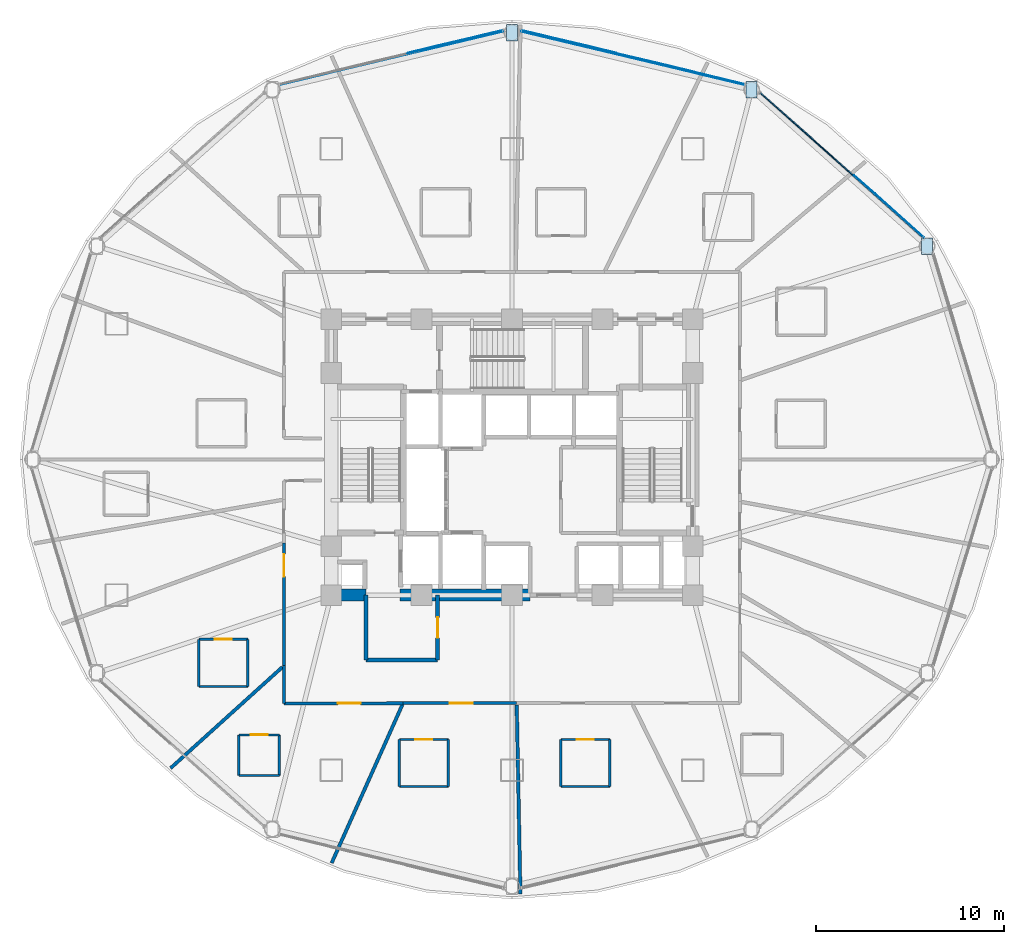
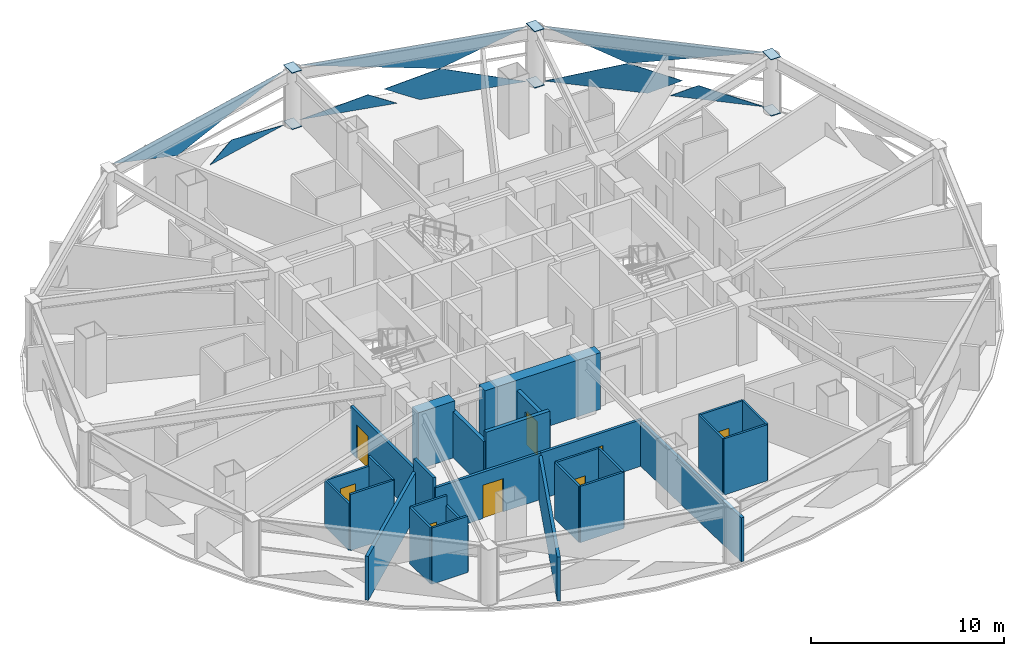
# One storey, part 23 of 31: 28 walls, 14 plates, 8 doors, 8 openings, 3 elements without a shape of their own.
"""IFC4 building model written with IfcOpenShell, lengths in metres."""

from ifc_helpers import new_model, si_unit, direction, frame, frame_2d, origin, place, context, subcontext, project, spatial, polyline, rectangle, outline, extrude, material, layer, layer_set, type_object, element, fill, aggregate, save


model = new_model("IFC4")

# Units and contexts
model_context = context("Model", 3, precision=1e-05, world=origin(), true_north=direction((0.0, 1.0)))
body_context = subcontext(model_context, "Body", "Model", "MODEL_VIEW")
ifc_project = project(units=[si_unit("LENGTHUNIT", "METRE"), si_unit("AREAUNIT", "SQUARE_METRE"), si_unit("VOLUMEUNIT", "CUBIC_METRE"), si_unit("PLANEANGLEUNIT", "RADIAN"), si_unit("MASSUNIT", "GRAM", prefix="KILO")], contexts=[model_context])

# Site, building, storey
site_placement = place(None, origin())
site = spatial("IfcSite", under=ifc_project, at=site_placement, CompositionType="ELEMENT")
building_placement = place(site_placement, origin())
building = spatial("IfcBuilding", under=site, at=building_placement, Name="Vantalir Tower", CompositionType="ELEMENT")
storey_placement = place(building_placement, frame((0.0, 0.0, 30.75)))
storey = spatial("IfcBuildingStorey", under=building, at=storey_placement, Name="L06", CompositionType="ELEMENT", Elevation=30.75)

# Curtain wall, plates
ifc_material_1 = material(Name="Champagne-silver PVDF aluminium and double-silver Low-E glass", Category="aluminium")
ifc_layer_1 = layer(ifc_material_1, 0.18994140625)
ifc_layer_set_1 = layer_set([ifc_layer_1], Name="Champagne-silver PVDF aluminium and double-silver Low-E glass")
curtain_wall_type = type_object("IfcCurtainWallType", Name="CW-DIAMOND-Z1", PredefinedType="USERDEFINED", material=ifc_layer_set_1)
curtain_wall_1_placement = place(storey_placement, origin())
curtain_wall_1 = element("IfcCurtainWall", 1, at=curtain_wall_1_placement, inside=storey, type_object=curtain_wall_type, Name="L06 Quilted Pyramid-Diamond Curtain Wall S02", ObjectType="UNITISED CURTAIN WALL", PredefinedType="USERDEFINED")
ifc_material_2 = material(Name="Double-silver Low-E laminated glass IGU", Category="glass")
ifc_layer_2 = layer(ifc_material_2, 0.028076171875)
ifc_layer_set_2 = layer_set([ifc_layer_2], Name="Double-silver Low-E laminated glass IGU")
plate_type_1 = type_object("IfcPlateType", Name="CWP-IGU-28", PredefinedType="CURTAIN_PANEL", material=ifc_layer_set_2)
plate_1_placement = place(storey_placement, frame((48.74658203125, 40.846435546875, 0.04638671875), z_axis=(-0.665325251606, -0.746426081789, 0.013799057982), x_axis=(-0.746496744743, 0.665389065195, 4.4805956e-05)))
plate_1 = element("IfcPlate", 2, at=plate_1_placement, type_object=plate_type_1, Name="CW-L06-S02 Pyramid Diamond Facet 1L", PredefinedType="CURTAIN_PANEL", context=body_context, shape_type="SweptSolid", body=[
    extrude(outline(polyline([(0.0, 0.0), (5.445019061406221, -9.75781955236954e-19), (1.0289545223742655, -1.7269249622409644), (-1.8271387081884845, -1.040708127567378), (0.0, 0.0)])), origin(), (0.0, 0.0, -1.0), 0.028076171875),
])
plate_2_placement = place(storey_placement, frame((53.3642578125, 36.773681640625, 0.0458984375), z_axis=(-0.665286156238, -0.746456823049, 0.014019330988), x_axis=(-0.746529729205, 0.665352057933, 4.9168789e-05)))
plate_2 = element("IfcPlate", 3, at=plate_2_placement, type_object=plate_type_1, Name="CW-L06-S02 Pyramid Diamond Facet 1L Infill Light", PredefinedType="CURTAIN_PANEL", context=body_context, shape_type="SweptSolid", body=[
    extrude(outline(polyline([(0.0, 0.0), (4.965357660067444, -1.2468324983583301e-18), (3.491801957493011, -0.8390220969059908), (0.0, 0.0)])), origin(), (0.0, 0.0, -1.0), 0.028076171875),
])
plate_3_placement = place(storey_placement, frame((44.681884765625, 44.469482421875, 3.5234375), z_axis=(0.665308471731, 0.746442033151, 0.013745129627), x_axis=(0.746512362632, -0.665371544323, 2.1042743e-05)))
plate_3 = element("IfcPlate", 4, at=plate_3_placement, type_object=plate_type_1, Name="CW-L06-S02 Pyramid Diamond Facet 2U", PredefinedType="CURTAIN_PANEL", context=body_context, shape_type="SweptSolid", body=[
    extrude(outline(polyline([(0.0, 0.0), (11.60212910870832, 4.174178364069192e-18), (4.416106124414924, 1.72706272146266), (0.0, 0.0)])), origin(), (0.0, 0.0, -1.0), 0.028076171875),
])
aggregate(curtain_wall_1, [plate_1, plate_2, plate_3])

curtain_wall_2_placement = place(storey_placement, origin())
curtain_wall_2 = element("IfcCurtainWall", 5, at=curtain_wall_2_placement, inside=storey, type_object=curtain_wall_type, Name="L06 Quilted Pyramid-Diamond Curtain Wall S03", ObjectType="UNITISED CURTAIN WALL", PredefinedType="USERDEFINED")
plate_4_placement = place(storey_placement, frame((43.848388671875, 44.90478515625, 0.046630859375), z_axis=(-0.232291098168, -0.972550032399, 0.013685035371), x_axis=(-0.972641250075, 0.232312282972, -4.2803868e-05)))
plate_4 = element("IfcPlate", 6, at=plate_4_placement, type_object=plate_type_1, Name="CW-L06-S03 Pyramid Diamond Facet 1L", PredefinedType="CURTAIN_PANEL", context=body_context, shape_type="SweptSolid", body=[
    extrude(outline(polyline([(0.0, 0.0), (5.739519590902644, 1.9786689647860456e-18), (7.654075966220186, -1.0402199577433895), (4.64316650522557, -1.7271655942056516), (0.0, 0.0)])), origin(), (0.0, 0.0, -1.0), 0.028076171875),
])
plate_5_placement = place(storey_placement, frame((37.072998046875, 46.555908203125, 0.0458984375), z_axis=(-0.232266858314, -0.972556291134, 0.013651633766), x_axis=(-0.972646930053, 0.232288504791, 0.0)))
plate_5 = element("IfcPlate", 7, at=plate_5_placement, type_object=plate_type_1, Name="CW-L06-S03 Pyramid Diamond Facet 1L Infill Light", PredefinedType="CURTAIN_PANEL", context=body_context, shape_type="SweptSolid", body=[
    extrude(outline(polyline([(0.0, 0.0), (5.23724897825539, 0.0), (1.5494455347339522, -0.8416311642109189), (0.0, 0.0)])), origin(), (0.0, 0.0, -1.0), 0.028076171875),
])
plate_6_placement = place(storey_placement, frame((31.9716796875, 47.741455078125, 3.523681640625), z_axis=(0.232287531806, 0.972551676666, 0.013628601564), x_axis=(0.972642072645, -0.232308842109, -1.9993876e-05)))
plate_6 = element("IfcPlate", 8, at=plate_6_placement, type_object=plate_type_1, Name="CW-L06-S03 Pyramid Diamond Facet 2U", PredefinedType="CURTAIN_PANEL", context=body_context, shape_type="SweptSolid", body=[
    extrude(outline(polyline([(0.0, 0.0), (12.210770352635775, -1.2468324983583301e-17), (7.567564543773729, 1.7273040383975622), (0.0, 0.0)])), origin(), (0.0, 0.0, -1.0), 0.028076171875),
])
aggregate(curtain_wall_2, [plate_4, plate_5, plate_6])

curtain_wall_3_placement = place(storey_placement, origin())
curtain_wall_3 = element("IfcCurtainWall", 9, at=curtain_wall_3_placement, inside=storey, type_object=curtain_wall_type, Name="L06 Quilted Pyramid-Diamond Curtain Wall S04", ObjectType="UNITISED CURTAIN WALL", PredefinedType="USERDEFINED")
plate_7_placement = place(storey_placement, frame((31.02099609375, 47.7724609375, 0.0458984375), z_axis=(0.232266858314, -0.972556291134, 0.013651633766), x_axis=(-0.972646930053, -0.232288504791, 0.0)))
plate_7 = element("IfcPlate", 10, at=plate_7_placement, type_object=plate_type_1, Name="CW-L06-S04 Pyramid Diamond Facet 1L Infill Light", PredefinedType="CURTAIN_PANEL", context=body_context, shape_type="SweptSolid", body=[
    extrude(outline(polyline([(0.0, 0.0), (5.23724897825539, 0.0), (3.687803443521438, -0.8416311642109189), (0.0, 0.0)])), origin(), (0.0, 0.0, -1.0), 0.028076171875),
])
plate_8_placement = place(storey_placement, frame((19.151611328125, 44.90478515625, 3.5234375), z_axis=(-0.232287531806, 0.972551676666, 0.013628601564), x_axis=(0.972642072645, 0.232308842109, 1.9993876e-05)))
plate_8 = element("IfcPlate", 11, at=plate_8_placement, type_object=plate_type_1, Name="CW-L06-S04 Pyramid Diamond Facet 2U", PredefinedType="CURTAIN_PANEL", context=body_context, shape_type="SweptSolid", body=[
    extrude(outline(polyline([(0.0, 0.0), (12.210770352635775, 1.2468324983583301e-17), (4.643205808862046, 1.7273040383975622), (0.0, 0.0)])), origin(), (0.0, 0.0, -1.0), 0.028076171875),
])
aggregate(curtain_wall_3, [plate_7, plate_8])

# Plates
ifc_material_3 = material(Name="Steel S460", Category="steel")
ifc_layer_3 = layer(ifc_material_3, 0.035888671875)
ifc_layer_set_3 = layer_set([ifc_layer_3], Name="Steel S460")
plate_type_2 = type_object("IfcPlateType", Name="PLT-KN-Z2", PredefinedType="USERDEFINED", material=ifc_layer_set_3)
for number, where, z_axis, x_axis, name in (
    (12, (53.25, 36.77197265625, 3.597900390625), (0.0, 0.0, 1.0), (0.0, -1.0, 0.0), "L06 Ring Column Top Cap RC02"),
    (13, (53.25, 36.77197265625, 0.052978515625), (0.0, 0.0, 1.0), (0.0, -1.0, 0.0), "L06 Ring Column Base Cap RC02"),
):
    element("IfcPlate", number, at=place(storey_placement, frame(where, z_axis=z_axis, x_axis=x_axis)), inside=storey, type_object=plate_type_2, Name=name, ObjectType="FLANGE_PLATE", PredefinedType="USERDEFINED", context=body_context, shape_type="SweptSolid", body=[
        extrude(outline(polyline([(0.0, 0.0), (0.8798828125, 0.0), (0.8798828125, 0.580078125), (0.0, 0.580078125), (0.0, 0.0)])), origin(), (0.0, 0.0, -1.0), 0.035888671875),
    ])
for number, where, z_axis, x_axis, name in (
    (14, (43.93505859375, 45.068115234375, 3.597900390625), (0.0, 0.0, 1.0), (0.0, -1.0, 0.0), "L06 Ring Column Top Cap RC03"),
    (15, (43.93505859375, 45.068115234375, 0.052978515625), (0.0, 0.0, 1.0), (0.0, -1.0, 0.0), "L06 Ring Column Base Cap RC03"),
):
    element("IfcPlate", number, at=place(storey_placement, frame(where, z_axis=z_axis, x_axis=x_axis)), inside=storey, type_object=plate_type_2, Name=name, ObjectType="FLANGE_PLATE", PredefinedType="USERDEFINED", context=body_context, shape_type="SweptSolid", body=[
        extrude(outline(polyline([(0.0, 0.0), (0.880126953125, 0.0), (0.880126953125, 0.579833984375), (0.0, 0.579833984375), (0.0, 0.0)])), origin(), (0.0, 0.0, -1.0), 0.035888671875),
    ])
for number, where, z_axis, x_axis, name in (
    (16, (31.2099609375, 48.10400390625, 3.597900390625), (0.0, 0.0, 1.0), (0.0, -1.0, 0.0), "L06 Ring Column Top Cap RC04"),
    (17, (31.2099609375, 48.10400390625, 0.052978515625), (0.0, 0.0, 1.0), (0.0, -1.0, 0.0), "L06 Ring Column Base Cap RC04"),
):
    element("IfcPlate", number, at=place(storey_placement, frame(where, z_axis=z_axis, x_axis=x_axis)), inside=storey, type_object=plate_type_2, Name=name, ObjectType="FLANGE_PLATE", PredefinedType="USERDEFINED", context=body_context, shape_type="SweptSolid", body=[
        extrude(outline(polyline([(0.0, 0.0), (0.8798828125, 0.0), (0.8798828125, 0.580078125), (0.0, 0.580078125), (0.0, 0.0)])), origin(), (0.0, 0.0, -1.0), 0.035888671875),
    ])

# Wall
ifc_material_4 = material(Name="Moisture-resistant en-suite partition", Category="gypsum")
ifc_layer_4 = layer(ifc_material_4, 0.125)
ifc_layer_set_4 = layer_set([ifc_layer_4], Name="Moisture-resistant en-suite partition")
wall_type_1 = type_object("IfcWallType", Name="WL-BATH-125", PredefinedType="PARTITIONING", material=ifc_layer_set_4)
wall_1_placement = place(storey_placement, frame((14.87109375, 12.950927734375, 0.0), z_axis=(0.0, 0.0, 1.0), x_axis=(1.0, 0.0, 0.0)))
element("IfcWall", 18, at=wall_1_placement, inside=storey, type_object=wall_type_1, Name="L06 En-suite 12 South Wall", PredefinedType="PARTITIONING", context=body_context, shape_type="SweptSolid", body=[
    extrude(rectangle(XDim=2.599853515625, YDim=0.125, at=frame_2d((1.2998046875, 0.0))), origin(), (0.0, 0.0, 1.0), 3.550048828125),
])

# Wall, opening, door
wall_2_placement = place(storey_placement, frame((14.87109375, 15.450927734375, 0.0), z_axis=(0.0, 0.0, 1.0), x_axis=(1.0, 0.0, 0.0)))
wall_2 = element("IfcWall", 19, at=wall_2_placement, inside=storey, type_object=wall_type_1, Name="L06 En-suite 12 North Wall", PredefinedType="PARTITIONING", context=body_context, shape_type="SweptSolid", body=[
    extrude(rectangle(XDim=2.599853515625, YDim=0.125, at=frame_2d((1.2998046875, 0.0))), origin(), (0.0, 0.0, 1.0), 2.927978515625),
])
opening_1_placement = place(wall_2_placement, frame((0.85009765625, 0.0, 0.0)))
opening_1 = element("IfcOpeningElement", 20, at=opening_1_placement, cuts=wall_2, Name="Opening D-WC", PredefinedType="OPENING", context=body_context, shape_type="SweptSolid", body=[
    extrude(rectangle(XDim=0.89990234375, YDim=2.10009765625, at=frame_2d((0.449951171875, 1.050048828125))), frame((0.0, 0.072509765625, 0.0), z_axis=(0.0, -1.0, 0.0), x_axis=(1.0, 0.0, 0.0)), (0.0, 0.0, 1.0), 0.14501953125),
])
ifc_material_5 = material(Name="Moisture-resistant hardwood door", Category="wood")
door_type_1 = type_object("IfcDoorType", Name="DR-ENSUITE-900", OperationType="NOTDEFINED", PredefinedType="DOOR", material=ifc_material_5)
door_1_placement = place(opening_1_placement, frame((0.89990234375, 0.0, 0.0), z_axis=(0.0, 0.0, 1.0), x_axis=(-1.0, 0.0, 0.0)))
door_1 = element("IfcDoor", 21, at=door_1_placement, inside=storey, type_object=door_type_1, Name="L06 En-suite 12 Door", OperationType="SINGLE_SWING_LEFT", OverallHeight=2.10009765625, OverallWidth=0.89990234375, PredefinedType="DOOR", context=body_context, shape_type="SweptSolid", body=[
    extrude(rectangle(XDim=0.89990234375, YDim=2.10009765625, at=frame_2d((0.449951171875, 1.050048828125))), frame((0.0, 0.02490234375, 0.0), z_axis=(0.0, -1.0, 0.0), x_axis=(1.0, 0.0, 0.0)), (0.0, 0.0, 1.0), 0.050048828125),
])
fill(opening_1, door_1)

# Walls
wall_3_placement = place(storey_placement, frame((14.87109375, 12.950927734375, 0.0), z_axis=(0.0, 0.0, 1.0), x_axis=(0.0, 1.0, 0.0)))
element("IfcWall", 22, at=wall_3_placement, inside=storey, type_object=wall_type_1, Name="L06 En-suite 12 West Wall", PredefinedType="PARTITIONING", context=body_context, shape_type="SweptSolid", body=[
    extrude(rectangle(XDim=2.5, YDim=0.125, at=frame_2d((1.25, 0.0))), origin(), (0.0, 0.0, 1.0), 2.927978515625),
])
wall_4_placement = place(storey_placement, frame((17.470947265625, 12.950927734375, 0.0), z_axis=(0.0, 0.0, 1.0), x_axis=(0.0, 1.0, 0.0)))
element("IfcWall", 23, at=wall_4_placement, inside=storey, type_object=wall_type_1, Name="L06 En-suite 12 East Wall", PredefinedType="PARTITIONING", context=body_context, shape_type="SweptSolid", body=[
    extrude(rectangle(XDim=2.5, YDim=0.125, at=frame_2d((1.25, 0.0))), origin(), (0.0, 0.0, 1.0), 3.550048828125),
])
wall_5_placement = place(storey_placement, frame((16.998046875, 8.22509765625, 0.0), z_axis=(0.0, 0.0, 1.0), x_axis=(1.0, 0.0, 0.0)))
element("IfcWall", 24, at=wall_5_placement, inside=storey, type_object=wall_type_1, Name="L06 En-suite 13 South Wall", PredefinedType="PARTITIONING", context=body_context, shape_type="SweptSolid", body=[
    extrude(rectangle(XDim=2.14990234375, YDim=0.125, at=frame_2d((1.074951171875, 0.0))), origin(), (0.0, 0.0, 1.0), 3.550048828125),
])

# Wall, opening, door
wall_6_placement = place(storey_placement, frame((16.998046875, 10.375, 0.0), z_axis=(0.0, 0.0, 1.0), x_axis=(1.0, 0.0, 0.0)))
wall_6 = element("IfcWall", 25, at=wall_6_placement, inside=storey, type_object=wall_type_1, Name="L06 En-suite 13 North Wall", PredefinedType="PARTITIONING", context=body_context, shape_type="SweptSolid", body=[
    extrude(rectangle(XDim=2.14990234375, YDim=0.125, at=frame_2d((1.074951171875, 0.0))), origin(), (0.0, 0.0, 1.0), 3.550048828125),
])
opening_2_placement = place(wall_6_placement, frame((0.625, 0.0, 0.0)))
opening_2 = element("IfcOpeningElement", 26, at=opening_2_placement, cuts=wall_6, Name="Opening D-WC", PredefinedType="OPENING", context=body_context, shape_type="SweptSolid", body=[
    extrude(rectangle(XDim=0.89990234375, YDim=2.10009765625, at=frame_2d((0.449951171875, 1.050048828125))), frame((0.0, 0.072509765625, 0.0), z_axis=(0.0, -1.0, 0.0), x_axis=(1.0, 0.0, 0.0)), (0.0, 0.0, 1.0), 0.14501953125),
])
door_2_placement = place(opening_2_placement, frame((0.89990234375, 0.0, 0.0), z_axis=(0.0, 0.0, 1.0), x_axis=(-1.0, 0.0, 0.0)))
door_2 = element("IfcDoor", 27, at=door_2_placement, inside=storey, type_object=door_type_1, Name="L06 En-suite 13 Door", OperationType="SINGLE_SWING_RIGHT", OverallHeight=2.10009765625, OverallWidth=0.89990234375, PredefinedType="DOOR", context=body_context, shape_type="SweptSolid", body=[
    extrude(rectangle(XDim=0.89990234375, YDim=2.10009765625, at=frame_2d((0.449951171875, 1.050048828125))), frame((0.0, 0.02490234375, 0.0), z_axis=(0.0, -1.0, 0.0), x_axis=(1.0, 0.0, 0.0)), (0.0, 0.0, 1.0), 0.050048828125),
])
fill(opening_2, door_2)

# Walls
wall_7_placement = place(storey_placement, frame((16.998046875, 8.22509765625, 0.0), z_axis=(0.0, 0.0, 1.0), x_axis=(0.0, 1.0, 0.0)))
element("IfcWall", 28, at=wall_7_placement, inside=storey, type_object=wall_type_1, Name="L06 En-suite 13 West Wall", PredefinedType="PARTITIONING", context=body_context, shape_type="SweptSolid", body=[
    extrude(rectangle(XDim=2.14990234375, YDim=0.125, at=frame_2d((1.074951171875, 0.0))), origin(), (0.0, 0.0, 1.0), 3.550048828125),
])
wall_8_placement = place(storey_placement, frame((19.14794921875, 8.22509765625, 0.0), z_axis=(0.0, 0.0, 1.0), x_axis=(0.0, 1.0, 0.0)))
element("IfcWall", 29, at=wall_8_placement, inside=storey, type_object=wall_type_1, Name="L06 En-suite 13 East Wall", PredefinedType="PARTITIONING", context=body_context, shape_type="SweptSolid", body=[
    extrude(rectangle(XDim=2.14990234375, YDim=0.125, at=frame_2d((1.074951171875, 0.0))), origin(), (0.0, 0.0, 1.0), 2.927978515625),
])
wall_9_placement = place(storey_placement, frame((25.514892578125, 7.635009765625, 0.0), z_axis=(0.0, 0.0, 1.0), x_axis=(1.0, 0.0, 0.0)))
element("IfcWall", 30, at=wall_9_placement, inside=storey, type_object=wall_type_1, Name="L06 En-suite 14 South Wall", PredefinedType="PARTITIONING", context=body_context, shape_type="SweptSolid", body=[
    extrude(rectangle(XDim=2.60009765625, YDim=0.125, at=frame_2d((1.300048828125, 0.0))), origin(), (0.0, 0.0, 1.0), 3.550048828125),
])

# Wall, opening, door
wall_10_placement = place(storey_placement, frame((25.514892578125, 10.135009765625, 0.0), z_axis=(0.0, 0.0, 1.0), x_axis=(1.0, 0.0, 0.0)))
wall_10 = element("IfcWall", 31, at=wall_10_placement, inside=storey, type_object=wall_type_1, Name="L06 En-suite 14 North Wall", PredefinedType="PARTITIONING", context=body_context, shape_type="SweptSolid", body=[
    extrude(rectangle(XDim=2.60009765625, YDim=0.125, at=frame_2d((1.300048828125, 0.0))), origin(), (0.0, 0.0, 1.0), 3.550048828125),
])
opening_3_placement = place(wall_10_placement, frame((0.85009765625, 0.0, 0.0)))
opening_3 = element("IfcOpeningElement", 32, at=opening_3_placement, cuts=wall_10, Name="Opening D-WC", PredefinedType="OPENING", context=body_context, shape_type="SweptSolid", body=[
    extrude(rectangle(XDim=0.89990234375, YDim=2.10009765625, at=frame_2d((0.449951171875, 1.050048828125))), frame((0.0, 0.072509765625, 0.0), z_axis=(0.0, -1.0, 0.0), x_axis=(1.0, 0.0, 0.0)), (0.0, 0.0, 1.0), 0.14501953125),
])
door_3_placement = place(opening_3_placement, frame((0.89990234375, 0.0, 0.0), z_axis=(0.0, 0.0, 1.0), x_axis=(-1.0, 0.0, 0.0)))
door_3 = element("IfcDoor", 33, at=door_3_placement, inside=storey, type_object=door_type_1, Name="L06 En-suite 14 Door", OperationType="SINGLE_SWING_LEFT", OverallHeight=2.10009765625, OverallWidth=0.89990234375, PredefinedType="DOOR", context=body_context, shape_type="SweptSolid", body=[
    extrude(rectangle(XDim=0.89990234375, YDim=2.10009765625, at=frame_2d((0.449951171875, 1.050048828125))), frame((0.0, 0.02490234375, 0.0), z_axis=(0.0, -1.0, 0.0), x_axis=(1.0, 0.0, 0.0)), (0.0, 0.0, 1.0), 0.050048828125),
])
fill(opening_3, door_3)

# Walls
for number, where, z_axis, x_axis, name in (
    (34, (25.514892578125, 7.635009765625, 0.0), (0.0, 0.0, 1.0), (0.0, 1.0, 0.0), "L06 En-suite 14 West Wall"),
    (35, (28.114990234375, 7.635009765625, 0.0), (0.0, 0.0, 1.0), (0.0, 1.0, 0.0), "L06 En-suite 14 East Wall"),
):
    element("IfcWall", number, at=place(storey_placement, frame(where, z_axis=z_axis, x_axis=x_axis)), inside=storey, type_object=wall_type_1, Name=name, PredefinedType="PARTITIONING", context=body_context, shape_type="SweptSolid", body=[
        extrude(rectangle(XDim=2.5, YDim=0.125, at=frame_2d((1.25, 0.0))), origin(), (0.0, 0.0, 1.0), 3.550048828125),
    ])
wall_11_placement = place(storey_placement, frame((34.095947265625, 7.635009765625, 0.0), z_axis=(0.0, 0.0, 1.0), x_axis=(1.0, 0.0, 0.0)))
element("IfcWall", 36, at=wall_11_placement, inside=storey, type_object=wall_type_1, Name="L06 En-suite 15 South Wall", PredefinedType="PARTITIONING", context=body_context, shape_type="SweptSolid", body=[
    extrude(rectangle(XDim=2.60009765625, YDim=0.125, at=frame_2d((1.300048828125, 0.0))), origin(), (0.0, 0.0, 1.0), 3.550048828125),
])

# Wall, opening, door
wall_12_placement = place(storey_placement, frame((34.095947265625, 10.135009765625, 0.0), z_axis=(0.0, 0.0, 1.0), x_axis=(1.0, 0.0, 0.0)))
wall_12 = element("IfcWall", 37, at=wall_12_placement, inside=storey, type_object=wall_type_1, Name="L06 En-suite 15 North Wall", PredefinedType="PARTITIONING", context=body_context, shape_type="SweptSolid", body=[
    extrude(rectangle(XDim=2.60009765625, YDim=0.125, at=frame_2d((1.300048828125, 0.0))), origin(), (0.0, 0.0, 1.0), 3.550048828125),
])
opening_4_placement = place(wall_12_placement, frame((0.85009765625, 0.0, 0.0)))
opening_4 = element("IfcOpeningElement", 38, at=opening_4_placement, cuts=wall_12, Name="Opening D-WC", PredefinedType="OPENING", context=body_context, shape_type="SweptSolid", body=[
    extrude(rectangle(XDim=0.89990234375, YDim=2.10009765625, at=frame_2d((0.449951171875, 1.050048828125))), frame((0.0, 0.072509765625, 0.0), z_axis=(0.0, -1.0, 0.0), x_axis=(1.0, 0.0, 0.0)), (0.0, 0.0, 1.0), 0.14501953125),
])
door_4_placement = place(opening_4_placement, frame((0.89990234375, 0.0, 0.0), z_axis=(0.0, 0.0, 1.0), x_axis=(-1.0, 0.0, 0.0)))
door_4 = element("IfcDoor", 39, at=door_4_placement, inside=storey, type_object=door_type_1, Name="L06 En-suite 15 Door", OperationType="SINGLE_SWING_RIGHT", OverallHeight=2.10009765625, OverallWidth=0.89990234375, PredefinedType="DOOR", context=body_context, shape_type="SweptSolid", body=[
    extrude(rectangle(XDim=0.89990234375, YDim=2.10009765625, at=frame_2d((0.449951171875, 1.050048828125))), frame((0.0, 0.02490234375, 0.0), z_axis=(0.0, -1.0, 0.0), x_axis=(1.0, 0.0, 0.0)), (0.0, 0.0, 1.0), 0.050048828125),
])
fill(opening_4, door_4)

# Walls
for number, where, z_axis, x_axis, name in (
    (40, (34.095947265625, 7.635009765625, 0.0), (0.0, 0.0, 1.0), (0.0, 1.0, 0.0), "L06 En-suite 15 West Wall"),
    (41, (36.696044921875, 7.635009765625, 0.0), (0.0, 0.0, 1.0), (0.0, 1.0, 0.0), "L06 En-suite 15 East Wall"),
):
    element("IfcWall", number, at=place(storey_placement, frame(where, z_axis=z_axis, x_axis=x_axis)), inside=storey, type_object=wall_type_1, Name=name, PredefinedType="PARTITIONING", context=body_context, shape_type="SweptSolid", body=[
        extrude(rectangle(XDim=2.5, YDim=0.125, at=frame_2d((1.25, 0.0))), origin(), (0.0, 0.0, 1.0), 3.550048828125),
    ])
ifc_material_6 = material(Name="Concrete C60/75", Category="concrete")
ifc_layer_5 = layer(ifc_material_6, 0.64990234375)
ifc_layer_set_5 = layer_set([ifc_layer_5], Name="Concrete C60/75")
wall_type_2 = type_object("IfcWallType", Name="WL-CORE-650", PredefinedType="SHEAR", material=ifc_layer_set_5)
wall_13_placement = place(storey_placement, frame((21.574951171875, 17.800048828125, 0.0), z_axis=(0.0, 0.0, 1.0), x_axis=(1.0, 0.0, 0.0)))
element("IfcWall", 42, at=wall_13_placement, inside=storey, type_object=wall_type_2, Name="L06 Core Shear Wall South-West", PredefinedType="SHEAR", context=body_context, shape_type="SweptSolid", body=[
    extrude(rectangle(XDim=2.175048828125, YDim=0.64990234375, at=frame_2d((1.08740234375, 0.0))), origin(), (0.0, 0.0, 1.0), 3.570068359375),
])
wall_14_placement = place(storey_placement, frame((25.550048828125, 17.800048828125, 0.0), z_axis=(0.0, 0.0, 1.0), x_axis=(1.0, 0.0, 0.0)))
element("IfcWall", 43, at=wall_14_placement, inside=storey, type_object=wall_type_2, Name="L06 Core Shear Wall South-Mid", PredefinedType="SHEAR", context=body_context, shape_type="SweptSolid", body=[
    extrude(rectangle(XDim=6.89990234375, YDim=0.64990234375, at=frame_2d((3.449951171875, 0.0))), origin(), (0.0, 0.0, 1.0), 3.570068359375),
])

# Wall, opening, door
ifc_material_7 = material(Name="Fire-rated hotel corridor acoustic partition", Category="gypsum")
ifc_layer_6 = layer(ifc_material_7, 0.159912109375)
ifc_layer_set_6 = layer_set([ifc_layer_6], Name="Fire-rated hotel corridor acoustic partition")
wall_type_3 = type_object("IfcWallType", Name="WL-CORR-160", PredefinedType="PARTITIONING", material=ifc_layer_set_6)
wall_15_placement = place(storey_placement, frame((31.75, 12.06298828125, 0.0), z_axis=(0.0, 0.0, 1.0), x_axis=(-0.99999979045, -0.000647379998, 0.0)))
wall_15 = element("IfcWall", 44, at=wall_15_placement, inside=storey, type_object=wall_type_3, Name="L06 Corridor Partition 19", PredefinedType="PARTITIONING", context=body_context, shape_type="SweptSolid", body=[
    extrude(rectangle(XDim=6.033935546875, YDim=0.159912109375, at=frame_2d((3.01708984375, 0.0))), origin(), (0.0, 0.0, 1.0), 2.927978515625),
])
opening_5_placement = place(wall_15_placement, frame((2.343994140625, 0.0, 0.0)))
opening_5 = element("IfcOpeningElement", 45, at=opening_5_placement, cuts=wall_15, Name="Opening D-STE", PredefinedType="OPENING", context=body_context, shape_type="SweptSolid", body=[
    extrude(rectangle(XDim=1.199951171875, YDim=2.10009765625, at=frame_2d((0.60009765625, 1.050048828125))), frame((0.0, 0.08984375, 0.0), z_axis=(0.0, -1.0, 0.0), x_axis=(1.0, 0.0, 0.0)), (0.0, 0.0, 1.0), 0.179931640625),
])
ifc_material_8 = material(Name="Solid-core teak veneer suite entrance door", Category="wood")
door_type_2 = type_object("IfcDoorType", Name="DR-SUITE-ENTRY-1200", OperationType="NOTDEFINED", PredefinedType="DOOR", material=ifc_material_8)
door_5_placement = place(opening_5_placement, origin())
door_5 = element("IfcDoor", 46, at=door_5_placement, inside=storey, type_object=door_type_2, Name="L06 Executive Club Hotel Suite 14 Door", OperationType="SINGLE_SWING_RIGHT", OverallHeight=2.10009765625, OverallWidth=1.199951171875, PredefinedType="DOOR", context=body_context, shape_type="SweptSolid", body=[
    extrude(rectangle(XDim=1.199951171875, YDim=2.10009765625, at=frame_2d((0.60009765625, 1.050048828125))), frame((0.0, 0.02490234375, 0.0), z_axis=(0.0, -1.0, 0.0), x_axis=(1.0, 0.0, 0.0)), (0.0, 0.0, 1.0), 0.050048828125),
])
fill(opening_5, door_5)

wall_16_placement = place(storey_placement, frame((25.716064453125, 12.05908203125, 0.0), z_axis=(0.0, 0.0, 1.0), x_axis=(-0.999999783688, -0.000657741868, 0.0)))
wall_16 = element("IfcWall", 47, at=wall_16_placement, inside=storey, type_object=wall_type_3, Name="L06 Corridor Partition 20", PredefinedType="PARTITIONING", context=body_context, shape_type="SweptSolid", body=[
    extrude(rectangle(XDim=6.31005859375, YDim=0.159912109375, at=frame_2d((3.155029296875, 0.0))), origin(), (0.0, 0.0, 1.0), 2.927978515625),
])
opening_6_placement = place(wall_16_placement, frame((2.256103515625, 0.0, 0.0)))
opening_6 = element("IfcOpeningElement", 48, at=opening_6_placement, cuts=wall_16, Name="Opening D-STE", PredefinedType="OPENING", context=body_context, shape_type="SweptSolid", body=[
    extrude(rectangle(XDim=1.199951171875, YDim=2.10009765625, at=frame_2d((0.60009765625, 1.050048828125))), frame((0.0, 0.08984375, 0.0), z_axis=(0.0, -1.0, 0.0), x_axis=(1.0, 0.0, 0.0)), (0.0, 0.0, 1.0), 0.179931640625),
])
door_6_placement = place(opening_6_placement, origin())
door_6 = element("IfcDoor", 49, at=door_6_placement, inside=storey, type_object=door_type_2, Name="L06 Corner Panorama Hotel Suite 13 Door", OperationType="SINGLE_SWING_LEFT", OverallHeight=2.10009765625, OverallWidth=1.199951171875, PredefinedType="DOOR", context=body_context, shape_type="SweptSolid", body=[
    extrude(rectangle(XDim=1.199951171875, YDim=2.10009765625, at=frame_2d((0.60009765625, 1.050048828125))), frame((0.0, 0.02490234375, 0.0), z_axis=(0.0, -1.0, 0.0), x_axis=(1.0, 0.0, 0.0)), (0.0, 0.0, 1.0), 0.050048828125),
])
fill(opening_6, door_6)

# Wall
wall_17_placement = place(storey_placement, frame((19.406005859375, 12.054931640625, 0.0), z_axis=(0.0, 0.0, 1.0), x_axis=(-0.00145754734, 0.999998937777, 0.0)))
element("IfcWall", 50, at=wall_17_placement, inside=storey, type_object=wall_type_3, Name="L06 Corridor Partition 21", PredefinedType="PARTITIONING", context=body_context, shape_type="SweptSolid", body=[
    extrude(rectangle(XDim=2.010009765625, YDim=0.159912109375, at=frame_2d((1.0048828125, 0.0))), origin(), (0.0, 0.0, 1.0), 3.550048828125),
])

# Wall, opening, door
wall_18_placement = place(storey_placement, frame((19.403076171875, 14.06494140625, 0.0), z_axis=(0.0, 0.0, 1.0), x_axis=(-0.001836785146, 0.999998313109, 0.0)))
wall_18 = element("IfcWall", 51, at=wall_18_placement, inside=storey, type_object=wall_type_3, Name="L06 Corridor Partition 22", PredefinedType="PARTITIONING", context=body_context, shape_type="SweptSolid", body=[
    extrude(rectangle(XDim=6.512939453125, YDim=0.159912109375, at=frame_2d((3.25634765625, 0.0))), origin(), (0.0, 0.0, 1.0), 2.927978515625),
])
opening_7_placement = place(wall_18_placement, frame((4.7119140625, 0.0, 0.0)))
opening_7 = element("IfcOpeningElement", 52, at=opening_7_placement, cuts=wall_18, Name="Opening D-STE", PredefinedType="OPENING", context=body_context, shape_type="SweptSolid", body=[
    extrude(rectangle(XDim=1.199951171875, YDim=2.10009765625, at=frame_2d((0.60009765625, 1.050048828125))), frame((0.0, 0.08984375, 0.0), z_axis=(0.0, -1.0, 0.0), x_axis=(1.0, 0.0, 0.0)), (0.0, 0.0, 1.0), 0.179931640625),
])
door_7_placement = place(opening_7_placement, origin())
door_7 = element("IfcDoor", 53, at=door_7_placement, inside=storey, type_object=door_type_2, Name="L06 Executive Club Hotel Suite 12 Door", OperationType="SINGLE_SWING_RIGHT", OverallHeight=2.10009765625, OverallWidth=1.199951171875, PredefinedType="DOOR", context=body_context, shape_type="SweptSolid", body=[
    extrude(rectangle(XDim=1.199951171875, YDim=2.10009765625, at=frame_2d((0.60009765625, 1.050048828125))), frame((0.0, 0.02490234375, 0.0), z_axis=(0.0, -1.0, 0.0), x_axis=(1.0, 0.0, 0.0)), (0.0, 0.0, 1.0), 0.050048828125),
])
fill(opening_7, door_7)

# Walls
ifc_material_9 = material(Name="Concrete blockwork with fireboard lining", Category="masonry")
ifc_layer_7 = layer(ifc_material_9, 0.219970703125)
ifc_layer_set_7 = layer_set([ifc_layer_7], Name="Concrete blockwork with fireboard lining")
wall_type_4 = type_object("IfcWallType", Name="WL-FFL-220", PredefinedType="PARTITIONING", material=ifc_layer_set_7)
wall_19_placement = place(storey_placement, frame((23.75, 14.35009765625, 0.0), z_axis=(0.0, 0.0, 1.0), x_axis=(0.0, 1.0, 0.0)))
element("IfcWall", 54, at=wall_19_placement, inside=storey, type_object=wall_type_4, Name="L06 Firefighting Lobby West Outer W", PredefinedType="PARTITIONING", context=body_context, shape_type="SweptSolid", body=[
    extrude(rectangle(XDim=3.449951171875, YDim=0.219970703125, at=frame_2d((1.72509765625, 0.0))), origin(), (0.0, 0.0, 1.0), 2.927978515625),
])
wall_20_placement = place(storey_placement, frame((23.75, 14.35009765625, 0.0), z_axis=(0.0, 0.0, 1.0), x_axis=(1.0, 0.0, 0.0)))
element("IfcWall", 55, at=wall_20_placement, inside=storey, type_object=wall_type_4, Name="L06 Firefighting Lobby West South Wall", PredefinedType="PARTITIONING", context=body_context, shape_type="SweptSolid", body=[
    extrude(rectangle(XDim=3.800048828125, YDim=0.219970703125, at=frame_2d((1.89990234375, 0.0))), origin(), (0.0, 0.0, 1.0), 3.550048828125),
])

# Wall, opening, door
wall_21_placement = place(storey_placement, frame((27.550048828125, 14.35009765625, 0.0), z_axis=(0.0, 0.0, 1.0), x_axis=(0.0, 1.0, 0.0)))
wall_21 = element("IfcWall", 56, at=wall_21_placement, inside=storey, type_object=wall_type_4, Name="L06 Firefighting Lobby West East Wall", PredefinedType="PARTITIONING", context=body_context, shape_type="SweptSolid", body=[
    extrude(rectangle(XDim=3.449951171875, YDim=0.219970703125, at=frame_2d((1.72509765625, 0.0))), origin(), (0.0, 0.0, 1.0), 2.927978515625),
])
opening_8_placement = place(wall_21_placement, frame((1.175048828125, 0.0, 0.0)))
opening_8 = element("IfcOpeningElement", 57, at=opening_8_placement, cuts=wall_21, Name="Opening D-FFL", PredefinedType="OPENING", context=body_context, shape_type="SweptSolid", body=[
    extrude(rectangle(XDim=1.10009765625, YDim=2.10009765625, at=frame_2d((0.550048828125, 1.050048828125))), frame((0.0, 0.119873046875, 0.0), z_axis=(0.0, -1.0, 0.0), x_axis=(1.0, 0.0, 0.0)), (0.0, 0.0, 1.0), 0.239990234375),
])
ifc_material_10 = material(Name="Fire-rated acoustic steel door", Category="steel")
door_type_3 = type_object("IfcDoorType", Name="DR-FIRE-LOBBY-1100", OperationType="NOTDEFINED", PredefinedType="DOOR", material=ifc_material_10)
door_8_placement = place(opening_8_placement, origin())
door_8 = element("IfcDoor", 58, at=door_8_placement, inside=storey, type_object=door_type_3, Name="L06 Firefighting Lobby West Access Door", OperationType="SINGLE_SWING_LEFT", OverallHeight=2.10009765625, OverallWidth=1.10009765625, PredefinedType="DOOR", context=body_context, shape_type="SweptSolid", body=[
    extrude(rectangle(XDim=1.10009765625, YDim=2.10009765625, at=frame_2d((0.550048828125, 1.050048828125))), frame((0.0, 0.02490234375, 0.0), z_axis=(0.0, -1.0, 0.0), x_axis=(1.0, 0.0, 0.0)), (0.0, 0.0, 1.0), 0.050048828125),
])
fill(opening_8, door_8)

# Walls
ifc_material_11 = material(Name="Twin-stud acoustic fire-rated gypsum partition", Category="gypsum")
ifc_layer_8 = layer(ifc_material_11, 0.179931640625)
ifc_layer_set_8 = layer_set([ifc_layer_8], Name="Twin-stud acoustic fire-rated gypsum partition")
wall_type_5 = type_object("IfcWallType", Name="WL-GUEST-180", PredefinedType="PARTITIONING", material=ifc_layer_set_8)
wall_22_placement = place(storey_placement, frame((19.31005859375, 13.98095703125, 0.0), z_axis=(0.0, 0.0, 1.0), x_axis=(-0.741824064111, -0.670594555529, 0.0)))
element("IfcWall", 59, at=wall_22_placement, inside=storey, type_object=wall_type_5, Name="L06 Radial Suite Partition 13", PredefinedType="PARTITIONING", context=body_context, shape_type="SweptSolid", body=[
    extrude(rectangle(XDim=8.003173828125, YDim=0.179931640625, at=frame_2d((4.00146484375, 0.0))), origin(), (0.0, 0.0, 1.0), 2.77490234375),
])
wall_23_placement = place(storey_placement, frame((25.677978515625, 11.97509765625, 0.0), z_axis=(0.0, 0.0, 1.0), x_axis=(-0.408029036582, -0.912968950899, 0.0)))
element("IfcWall", 60, at=wall_23_placement, inside=storey, type_object=wall_type_5, Name="L06 Radial Suite Partition 14", PredefinedType="PARTITIONING", context=body_context, shape_type="SweptSolid", body=[
    extrude(rectangle(XDim=9.19775390625, YDim=0.179931640625, at=frame_2d((4.598876953125, 0.0))), origin(), (0.0, 0.0, 1.0), 2.77490234375),
])
wall_24_placement = place(storey_placement, frame((31.7509765625, 11.97509765625, 0.0), z_axis=(0.0, 0.0, 1.0), x_axis=(0.019398029736, -0.999811840519, 0.0)))
element("IfcWall", 61, at=wall_24_placement, inside=storey, type_object=wall_type_5, Name="L06 Radial Suite Partition 15", PredefinedType="PARTITIONING", context=body_context, shape_type="SweptSolid", body=[
    extrude(rectangle(XDim=10.05615234375, YDim=0.179931640625, at=frame_2d((5.028076171875, 0.0))), origin(), (0.0, 0.0, 1.0), 2.77490234375),
])

save(model, "model.ifc")
